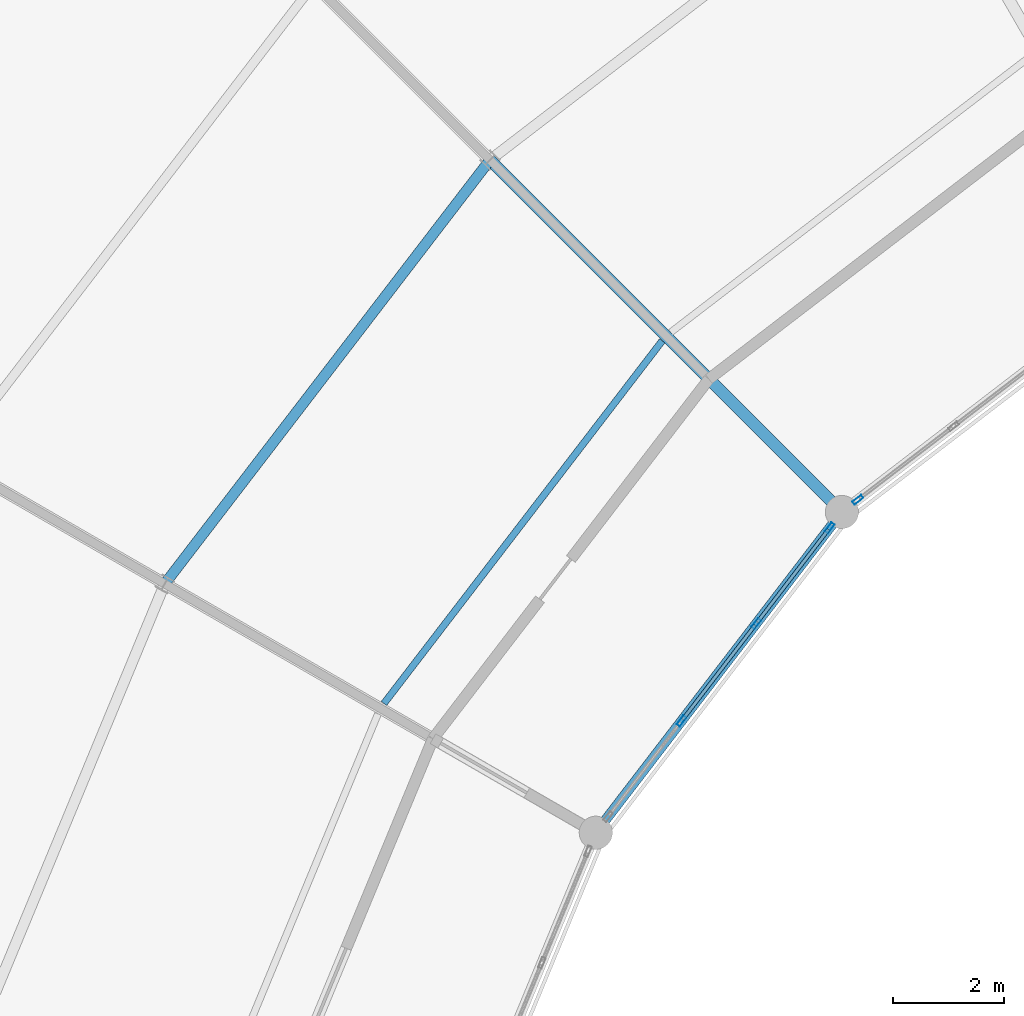
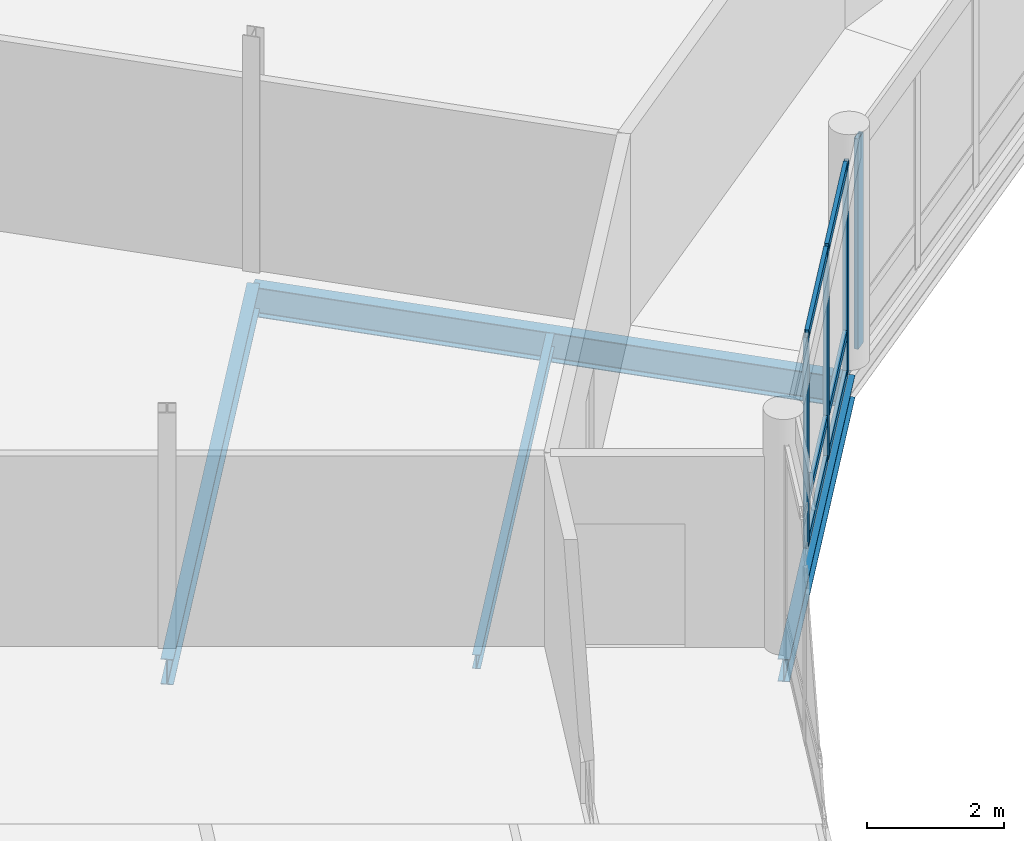
# One storey, part 77 of 185: 10 members, 4 beams, 2 elements without a shape of their own.
"""IFC4 building model written with IfcOpenShell, lengths in metres."""

from ifc_helpers import new_model, si_unit, direction, frame, origin, origin_2d, place, context, subcontext, project, spatial, hollow_rectangle, i_section, extrude, material, material_profile, profile_set, type_object, element, aggregate, save


model = new_model("IFC4")

# Units and contexts
model_context = context("Model", 3, precision=1e-05, world=origin(), true_north=direction((0.0, 1.0)))
body_context = subcontext(model_context, "Body", "Model", "MODEL_VIEW")
ifc_project = project(units=[si_unit("LENGTHUNIT", "METRE"), si_unit("AREAUNIT", "SQUARE_METRE"), si_unit("VOLUMEUNIT", "CUBIC_METRE"), si_unit("PLANEANGLEUNIT", "RADIAN"), si_unit("MASSUNIT", "GRAM", prefix="KILO")], contexts=[model_context])

# Site, building, storey
site_placement = place(None, origin())
site = spatial("IfcSite", under=ifc_project, at=site_placement, CompositionType="ELEMENT")
building_placement = place(site_placement, origin())
building = spatial("IfcBuilding", under=site, at=building_placement, Name="Vondelvale Polytechnic", CompositionType="ELEMENT")
storey_placement = place(building_placement, frame((0.0, 0.0, 9.60009765625)))
storey = spatial("IfcBuildingStorey", under=building, at=storey_placement, Name="L02", CompositionType="ELEMENT", Elevation=9.60009765625)

# Beams
ifc_material_1 = material(Name="Steel 300PLUS (fy = 300 MPa)", Category="steel")
ifc_material_profile_1 = material_profile(ifc_material_1, i_section(OverallWidth=0.177978515625, OverallDepth=0.403076171875, WebThickness=0.007568359375, FlangeThickness=0.010986328125, FilletRadius=0.011474609375, at=origin_2d()), Name="410UB53.7")
ifc_profile_set_1 = profile_set([ifc_material_profile_1], Name="Steel 300PLUS (fy = 300 MPa)")
beam_type_1 = type_object("IfcBeamType", Name="BM-UB410L", PredefinedType="BEAM", material=ifc_profile_set_1)
beam_1_placement = place(storey_placement, frame((82.200927734375, 91.799072265625, -0.481689453125), z_axis=(-0.608754744979, -0.793358469083, 0.0), x_axis=(0.793358469083, -0.608754744979, 0.0)))
element("IfcBeam", 1, at=beam_1_placement, inside=storey, type_object=beam_type_1, Name="L02 RB B-23", PredefinedType="BEAM", context=body_context, shape_type="SweptSolid", body=[
    extrude(i_section(OverallWidth=0.177978515625, OverallDepth=0.403076171875, WebThickness=0.007568359375, FlangeThickness=0.010986328125, FilletRadius=0.011474609375, at=origin_2d()), origin(), (0.0, 0.0, 1.0), 7.3095703125),
])
ifc_material_profile_2 = material_profile(ifc_material_1, i_section(OverallWidth=0.18994140625, OverallDepth=0.4541015625, WebThickness=0.008544921875, FlangeThickness=0.0126953125, FilletRadius=0.011474609375, at=origin_2d()), Name="460UB67.1")
ifc_profile_set_2 = profile_set([ifc_material_profile_2], Name="Steel 300PLUS (fy = 300 MPa)")
beam_type_2 = type_object("IfcBeamType", Name="BM-UB460L", PredefinedType="BEAM", material=ifc_profile_set_2)
beam_2_placement = place(storey_placement, frame((75.8369140625, 98.1630859375, -0.507080078125), z_axis=(-0.60874775518, -0.793363832402, 0.0), x_axis=(0.793363832402, -0.60874775518, 0.0)))
element("IfcBeam", 2, at=beam_2_placement, inside=storey, type_object=beam_type_2, Name="L02 RB B-22", PredefinedType="BEAM", context=body_context, shape_type="SweptSolid", body=[
    extrude(i_section(OverallWidth=0.18994140625, OverallDepth=0.4541015625, WebThickness=0.008544921875, FlangeThickness=0.0126953125, FilletRadius=0.011474609375, at=origin_2d()), origin(), (0.0, 0.0, 1.0), 9.658935546875),
])
ifc_material_profile_3 = material_profile(ifc_material_1, i_section(OverallWidth=0.208984375, OverallDepth=0.528076171875, WebThickness=0.009521484375, FlangeThickness=0.01318359375, FilletRadius=0.013916015625, at=origin_2d()), Name="530UB82.0")
ifc_profile_set_3 = profile_set([ifc_material_profile_3], Name="Steel 300PLUS (fy = 300 MPa)")
beam_type_3 = type_object("IfcBeamType", Name="BM-UB530L", PredefinedType="BEAM", material=ifc_profile_set_3)
beam_3_placement = place(storey_placement, frame((82.200927734375, 91.799072265625, -0.544189453125), z_axis=(-0.707106781187, 0.707106781187, 0.0), x_axis=(-0.707106781187, -0.707106781187, 0.0)))
element("IfcBeam", 3, at=beam_3_placement, inside=storey, type_object=beam_type_3, Name="L02 RG B-21", PredefinedType="BEAM", context=body_context, shape_type="SweptSolid", body=[
    extrude(i_section(OverallWidth=0.208984375, OverallDepth=0.528076171875, WebThickness=0.009521484375, FlangeThickness=0.01318359375, FilletRadius=0.013916015625, at=origin_2d()), origin(), (0.0, 0.0, 1.0), 9.0),
])

# Curtain wall, member
ifc_material_2 = material(Name="Anodised extruded aluminium 6063-T6", Category="aluminium")
curtain_wall_type = type_object("IfcCurtainWallType", Name="CW-RING-CLOISTER", PredefinedType="NOTDEFINED", material=ifc_material_2)
curtain_wall_1_placement = place(storey_placement, origin())
curtain_wall_1 = element("IfcCurtainWall", 4, at=curtain_wall_1_placement, inside=storey, type_object=curtain_wall_type, Name="L02 architectural curtain wall CW-03-198", PredefinedType="NOTDEFINED")
ifc_material_profile_4 = material_profile(ifc_material_2, hollow_rectangle(XDim=0.070068359375, YDim=0.199951171875, WallThickness=0.00390625, at=origin_2d()), Name="CW-MUL-200x70")
ifc_profile_set_4 = profile_set([ifc_material_profile_4], Name="Anodised extruded aluminium 6063-T6")
member_type_1 = type_object("IfcMemberType", Name="CW-MUL-70x200", PredefinedType="MULLION", material=ifc_profile_set_4)
member_1_placement = place(storey_placement, frame((82.489501953125, 92.0205078125, 0.0), z_axis=(0.0, 0.0, 1.0), x_axis=(0.608747717793, -0.793363861089, 0.0)))
member_1 = element("IfcMember", 5, at=member_1_placement, type_object=member_type_1, Name="CW-03-198 mullion 4", PredefinedType="MULLION", context=body_context, shape_type="SweptSolid", body=[
    extrude(hollow_rectangle(XDim=0.070068359375, YDim=0.199951171875, WallThickness=0.00390625, at=origin_2d()), origin(), (0.0, 0.0, 1.0), 3.75),
])
aggregate(curtain_wall_1, [member_1])

# Curtain wall, members
curtain_wall_2_placement = place(storey_placement, origin())
curtain_wall_2 = element("IfcCurtainWall", 6, at=curtain_wall_2_placement, inside=storey, type_object=curtain_wall_type, Name="L02 architectural curtain wall CW-03-217", PredefinedType="NOTDEFINED")
member_2_placement = place(storey_placement, frame((81.9794921875, 91.510498046875, 0.0), z_axis=(0.0, 0.0, 1.0), x_axis=(0.793363861089, -0.608747717793, 0.0)))
member_2 = element("IfcMember", 7, at=member_2_placement, type_object=member_type_1, Name="CW-03-217 mullion 1", PredefinedType="MULLION", context=body_context, shape_type="SweptSolid", body=[
    extrude(hollow_rectangle(XDim=0.070068359375, YDim=0.199951171875, WallThickness=0.00390625, at=origin_2d()), origin(), (0.0, 0.0, 1.0), 3.75),
])
member_3_placement = place(storey_placement, frame((80.651123046875, 89.779052734375, 0.0), z_axis=(0.0, 0.0, 1.0), x_axis=(0.793363861089, -0.608747717793, 0.0)))
member_3 = element("IfcMember", 8, at=member_3_placement, type_object=member_type_1, Name="CW-03-217 mullion 2", PredefinedType="MULLION", context=body_context, shape_type="SweptSolid", body=[
    extrude(hollow_rectangle(XDim=0.070068359375, YDim=0.199951171875, WallThickness=0.00390625, at=origin_2d()), origin(), (0.0, 0.0, 1.0), 3.75),
])
member_4_placement = place(storey_placement, frame((79.30126953125, 88.02001953125, 0.0), z_axis=(0.0, 0.0, 1.0), x_axis=(0.793363861089, -0.608747717793, 0.0)))
member_4 = element("IfcMember", 9, at=member_4_placement, type_object=member_type_1, Name="CW-03-217 mullion 3", PredefinedType="MULLION", context=body_context, shape_type="SweptSolid", body=[
    extrude(hollow_rectangle(XDim=0.070068359375, YDim=0.199951171875, WallThickness=0.00390625, at=origin_2d()), origin(), (0.0, 0.0, 1.0), 3.75),
])
ifc_material_profile_5 = material_profile(ifc_material_2, hollow_rectangle(XDim=0.06494140625, YDim=0.159912109375, WallThickness=0.00341796875, at=origin_2d()), Name="CW-TRN-160x65")
ifc_profile_set_5 = profile_set([ifc_material_profile_5], Name="Anodised extruded aluminium 6063-T6")
member_type_2 = type_object("IfcMemberType", Name="CW-TRN-70x160", PredefinedType="USERDEFINED", material=ifc_profile_set_5)
member_5_placement = place(storey_placement, frame((81.958251953125, 91.482666015625, 0.032470703125), z_axis=(-0.608766343448, -0.793349569285, 0.0), x_axis=(0.793349569285, -0.608766343448, 0.0)))
member_5 = element("IfcMember", 10, at=member_5_placement, type_object=member_type_2, Name="CW-03-217 transom 1.1", ObjectType="TRANSOM", PredefinedType="USERDEFINED", context=body_context, shape_type="SweptSolid", body=[
    extrude(hollow_rectangle(XDim=0.06494140625, YDim=0.159912109375, WallThickness=0.00341796875, at=origin_2d()), origin(), (0.0, 0.0, 1.0), 2.1123046875),
])
member_6_placement = place(storey_placement, frame((81.958251953125, 91.482666015625, 0.75), z_axis=(-0.608766343448, -0.793349569285, 0.0), x_axis=(0.793349569285, -0.608766343448, 0.0)))
member_6 = element("IfcMember", 11, at=member_6_placement, type_object=member_type_2, Name="CW-03-217 transom 1.2", ObjectType="TRANSOM", PredefinedType="USERDEFINED", context=body_context, shape_type="SweptSolid", body=[
    extrude(hollow_rectangle(XDim=0.06494140625, YDim=0.159912109375, WallThickness=0.00341796875, at=origin_2d()), origin(), (0.0, 0.0, 1.0), 2.1123046875),
])
member_7_placement = place(storey_placement, frame((81.958251953125, 91.482666015625, 3.71728515625), z_axis=(-0.608766343448, -0.793349569285, 0.0), x_axis=(0.793349569285, -0.608766343448, 0.0)))
member_7 = element("IfcMember", 12, at=member_7_placement, type_object=member_type_2, Name="CW-03-217 transom 1.3", ObjectType="TRANSOM", PredefinedType="USERDEFINED", context=body_context, shape_type="SweptSolid", body=[
    extrude(hollow_rectangle(XDim=0.06494140625, YDim=0.159912109375, WallThickness=0.00341796875, at=origin_2d()), origin(), (0.0, 0.0, 1.0), 2.1123046875),
])
member_8_placement = place(storey_placement, frame((80.629638671875, 89.751220703125, 0.032470703125), z_axis=(-0.608732251269, -0.793375728306, 0.0), x_axis=(0.793375728306, -0.608732251269, 0.0)))
member_8 = element("IfcMember", 13, at=member_8_placement, type_object=member_type_2, Name="CW-03-217 transom 2.1", ObjectType="TRANSOM", PredefinedType="USERDEFINED", context=body_context, shape_type="SweptSolid", body=[
    extrude(hollow_rectangle(XDim=0.06494140625, YDim=0.159912109375, WallThickness=0.00341796875, at=origin_2d()), origin(), (0.0, 0.0, 1.0), 2.147216796875),
])
member_9_placement = place(storey_placement, frame((80.629638671875, 89.751220703125, 0.75), z_axis=(-0.608732251269, -0.793375728306, 0.0), x_axis=(0.793375728306, -0.608732251269, 0.0)))
member_9 = element("IfcMember", 14, at=member_9_placement, type_object=member_type_2, Name="CW-03-217 transom 2.2", ObjectType="TRANSOM", PredefinedType="USERDEFINED", context=body_context, shape_type="SweptSolid", body=[
    extrude(hollow_rectangle(XDim=0.06494140625, YDim=0.159912109375, WallThickness=0.00341796875, at=origin_2d()), origin(), (0.0, 0.0, 1.0), 2.147216796875),
])
member_10_placement = place(storey_placement, frame((80.629638671875, 89.751220703125, 3.71728515625), z_axis=(-0.608732251269, -0.793375728306, 0.0), x_axis=(0.793375728306, -0.608732251269, 0.0)))
member_10 = element("IfcMember", 15, at=member_10_placement, type_object=member_type_2, Name="CW-03-217 transom 2.3", ObjectType="TRANSOM", PredefinedType="USERDEFINED", context=body_context, shape_type="SweptSolid", body=[
    extrude(hollow_rectangle(XDim=0.06494140625, YDim=0.159912109375, WallThickness=0.00341796875, at=origin_2d()), origin(), (0.0, 0.0, 1.0), 2.147216796875),
])
aggregate(curtain_wall_2, [member_2, member_3, member_4, member_5, member_6, member_7, member_8, member_9, member_10])

# Beam
ifc_material_profile_6 = material_profile(ifc_material_1, i_section(OverallWidth=0.1240234375, OverallDepth=0.248046875, WebThickness=0.0048828125, FlangeThickness=0.008056640625, FilletRadius=0.0087890625, at=origin_2d()), Name="250UB25.7")
ifc_profile_set_6 = profile_set([ifc_material_profile_6], Name="Steel 300PLUS (fy = 300 MPa)")
beam_type_4 = type_object("IfcBeamType", Name="JST-UB250L", PredefinedType="JOIST", material=ifc_profile_set_6)
beam_4_placement = place(storey_placement, frame((78.951904296875, 94.893798828125, -0.404052734375), z_axis=(-0.608750899721, -0.793361419587, 0.0), x_axis=(0.793361419587, -0.608750899721, 0.0)))
element("IfcBeam", 16, at=beam_4_placement, inside=storey, type_object=beam_type_4, Name="L02 RJ J-08", PredefinedType="JOIST", context=body_context, shape_type="SweptSolid", body=[
    extrude(i_section(OverallWidth=0.1240234375, OverallDepth=0.248046875, WebThickness=0.0048828125, FlangeThickness=0.008056640625, FilletRadius=0.0087890625, at=origin_2d()), origin(), (0.0, 0.0, 1.0), 8.26416015625),
])

save(model, "model.ifc")
